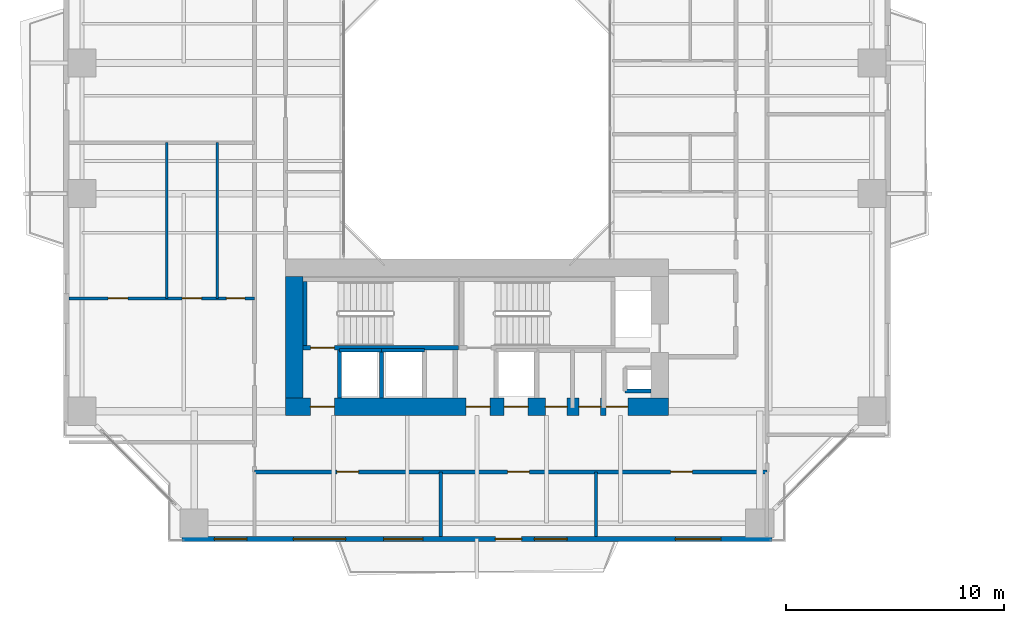
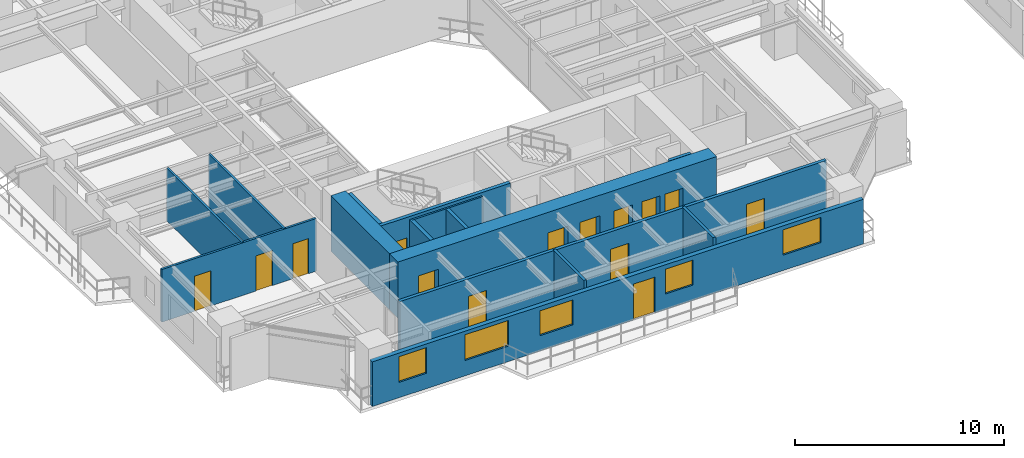
# One storey, part 12 of 23: 16 walls, 14 doors, 5 windows, 19 openings.
"""IFC4 building model written with IfcOpenShell, lengths in metres."""

from ifc_helpers import new_model, si_unit, direction, frame, frame_2d, origin, place, context, subcontext, project, spatial, rectangle, extrude, source, transform, mapped, material, layer, layer_set, type_object, element, fill, save


model = new_model("IFC4")

# Units and contexts
model_context = context("Model", 3, precision=1e-05, world=origin(), true_north=direction((0.0, 1.0)))
body_context = subcontext(model_context, "Body", "Model", "MODEL_VIEW")
ifc_project = project(units=[si_unit("LENGTHUNIT", "METRE"), si_unit("AREAUNIT", "SQUARE_METRE"), si_unit("VOLUMEUNIT", "CUBIC_METRE"), si_unit("PLANEANGLEUNIT", "RADIAN"), si_unit("MASSUNIT", "GRAM", prefix="KILO"), si_unit("THERMODYNAMICTEMPERATUREUNIT", "KELVIN"), si_unit("POWERUNIT", "WATT")], contexts=[model_context])

# Site, building, storey
site_placement = place(None, origin())
site = spatial("IfcSite", under=ifc_project, at=site_placement, CompositionType="ELEMENT")
building_placement = place(site_placement, origin())
building = spatial("IfcBuilding", under=site, at=building_placement, Name="Qiaomeng Ring Towers", CompositionType="ELEMENT")
storey_placement = place(building_placement, frame((0.0, 0.0, 26.25)))
storey = spatial("IfcBuildingStorey", under=building, at=storey_placement, Name="L06", CompositionType="ELEMENT", Elevation=26.25)

# Wall, openings, windows, door
ifc_material_1 = material(Name="Precast concrete C40", Category="concrete")
ifc_layer_1 = layer(ifc_material_1, 0.25, Name="Precast concrete C40")
ifc_layer_set_1 = layer_set([ifc_layer_1], Name="Precast concrete C40")
wall_type_1 = type_object("IfcWallType", Name="ARC-WL-EW1", PredefinedType="STANDARD", material=ifc_layer_set_1)
wall_1_placement = place(storey_placement, frame((5.449951171875, 4.125, 0.0), z_axis=(0.0, 0.0, 1.0), x_axis=(1.0, 0.0, 0.0)))
wall_1 = element("IfcWall", 1, at=wall_1_placement, inside=storey, type_object=wall_type_1, Name="L06 Tower 1 S Exterior Wall", PredefinedType="STANDARD", context=body_context, shape_type="SweptSolid", body=[
    extrude(rectangle(XDim=27.10009765625, YDim=0.25, at=frame_2d((13.550048828125, 0.0))), origin(), (0.0, 0.0, 1.0), 2.610107421875),
])
opening_1_placement = place(wall_1_placement, frame((14.39990234375, 0.0, 0.0)))
opening_1 = element("IfcOpeningElement", 2, at=opening_1_placement, cuts=wall_1, Name="Opening BD1", PredefinedType="OPENING", context=body_context, shape_type="SweptSolid", body=[
    extrude(rectangle(XDim=1.199951171875, YDim=2.10009765625, at=frame_2d((0.60009765625, 1.050048828125))), frame((0.0, 0.135009765625, 0.0), z_axis=(0.0, -1.0, 0.0), x_axis=(1.0, 0.0, 0.0)), (0.0, 0.0, 1.0), 0.27001953125),
])
opening_2_placement = place(wall_1_placement, frame((1.47998046875, 0.0, 0.89990234375)))
opening_2 = element("IfcOpeningElement", 3, at=opening_2_placement, cuts=wall_1, Name="Opening WN2", PredefinedType="OPENING", context=body_context, shape_type="SweptSolid", body=[
    extrude(rectangle(XDim=1.5, YDim=1.5, at=frame_2d((0.75, 0.75))), frame((0.0, 0.135009765625, 0.0), z_axis=(0.0, -1.0, 0.0), x_axis=(1.0, 0.0, 0.0)), (0.0, 0.0, 1.0), 0.27001953125),
])
opening_3_placement = place(wall_1_placement, frame((9.262939453125, 0.0, 0.89990234375)))
opening_3 = element("IfcOpeningElement", 4, at=opening_3_placement, cuts=wall_1, Name="Opening WN1", PredefinedType="OPENING", context=body_context, shape_type="SweptSolid", body=[
    extrude(rectangle(XDim=1.800048828125, YDim=1.449951171875, at=frame_2d((0.89990234375, 0.72509765625))), frame((0.0, 0.135009765625, 0.0), z_axis=(0.0, -1.0, 0.0), x_axis=(1.0, 0.0, 0.0)), (0.0, 0.0, 1.0), 0.27001953125),
])
opening_4_placement = place(wall_1_placement, frame((16.18798828125, 0.0, 0.89990234375)))
opening_4 = element("IfcOpeningElement", 5, at=opening_4_placement, cuts=wall_1, Name="Opening WN2", PredefinedType="OPENING", context=body_context, shape_type="SweptSolid", body=[
    extrude(rectangle(XDim=1.5, YDim=1.449951171875, at=frame_2d((0.75, 0.72509765625))), frame((0.0, 0.135009765625, 0.0), z_axis=(0.0, -1.0, 0.0), x_axis=(1.0, 0.0, 0.0)), (0.0, 0.0, 1.0), 0.27001953125),
])
opening_5_placement = place(wall_1_placement, frame((22.6630859375, 0.0, 0.89990234375)))
opening_5 = element("IfcOpeningElement", 6, at=opening_5_placement, cuts=wall_1, Name="Opening WN4", PredefinedType="OPENING", context=body_context, shape_type="SweptSolid", body=[
    extrude(rectangle(XDim=2.10009765625, YDim=1.47998046875, at=frame_2d((1.050048828125, 0.739990234375))), frame((0.0, 0.135009765625, 0.0), z_axis=(0.0, -1.0, 0.0), x_axis=(1.0, 0.0, 0.0)), (0.0, 0.0, 1.0), 0.27001953125),
])
opening_6_placement = place(wall_1_placement, frame((5.114013671875, 0.0, 0.89990234375)))
opening_6 = element("IfcOpeningElement", 7, at=opening_6_placement, cuts=wall_1, Name="Opening WN6", PredefinedType="OPENING", context=body_context, shape_type="SweptSolid", body=[
    extrude(rectangle(XDim=2.39990234375, YDim=1.5, at=frame_2d((1.199951171875, 0.75))), frame((0.0, 0.135009765625, 0.0), z_axis=(0.0, -1.0, 0.0), x_axis=(1.0, 0.0, 0.0)), (0.0, 0.0, 1.0), 0.27001953125),
])
ifc_material_2 = material(Name="Low-E dark-grey laminated double glazing", Category="glass")
window_type_1 = type_object("IfcWindowType", Name="ARC-WN-2", PartitioningType="DOUBLE_PANEL_VERTICAL", PredefinedType="WINDOW", material=ifc_material_2)
shared_shape_1 = source(origin(), body_context, "Body", "SweptSolid", [
    extrude(rectangle(XDim=1.5, YDim=1.449951171875, at=frame_2d((0.75, 0.72509765625))), frame((0.0, 0.030029296875, 0.0), z_axis=(0.0, -1.0, 0.0), x_axis=(1.0, 0.0, 0.0)), (0.0, 0.0, 1.0), 0.06005859375),
])
window_1_placement = place(opening_4_placement, origin())
window_1 = element("IfcWindow", 8, at=window_1_placement, inside=storey, type_object=window_type_1, Name="L06 Exterior Window WN2", OverallHeight=1.449951171875, OverallWidth=1.5, PartitioningType="DOUBLE_PANEL_VERTICAL", PredefinedType="WINDOW", context=body_context, shape_type="MappedRepresentation", body=[
    mapped(shared_shape_1, transform((0.0, 0.0, 0.0), x_axis=(1.0, 0.0, 0.0), y_axis=(0.0, 1.0, 0.0), z_axis=(0.0, 0.0, 1.0), scale=1.0)),
])
fill(opening_4, window_1)
window_type_2 = type_object("IfcWindowType", Name="ARC-WN-4", PartitioningType="TRIPLE_PANEL_VERTICAL", PredefinedType="WINDOW", material=ifc_material_2)
shared_shape_2 = source(origin(), body_context, "Body", "SweptSolid", [
    extrude(rectangle(XDim=2.10009765625, YDim=1.47998046875, at=frame_2d((1.050048828125, 0.739990234375))), frame((0.0, 0.030029296875, 0.0), z_axis=(0.0, -1.0, 0.0), x_axis=(1.0, 0.0, 0.0)), (0.0, 0.0, 1.0), 0.06005859375),
])
window_2_placement = place(opening_5_placement, origin())
window_2 = element("IfcWindow", 9, at=window_2_placement, inside=storey, type_object=window_type_2, Name="L06 Exterior Window WN4", OverallHeight=1.47998046875, OverallWidth=2.10009765625, PartitioningType="TRIPLE_PANEL_VERTICAL", PredefinedType="WINDOW", context=body_context, shape_type="MappedRepresentation", body=[
    mapped(shared_shape_2, transform((0.0, 0.0, 0.0), x_axis=(1.0, 0.0, 0.0), y_axis=(0.0, 1.0, 0.0), z_axis=(0.0, 0.0, 1.0), scale=1.0)),
])
fill(opening_5, window_2)
window_type_3 = type_object("IfcWindowType", Name="ARC-WN-1", PartitioningType="DOUBLE_PANEL_VERTICAL", PredefinedType="WINDOW", material=ifc_material_2)
shared_shape_3 = source(origin(), body_context, "Body", "SweptSolid", [
    extrude(rectangle(XDim=1.800048828125, YDim=1.449951171875, at=frame_2d((0.89990234375, 0.72509765625))), frame((0.0, 0.030029296875, 0.0), z_axis=(0.0, -1.0, 0.0), x_axis=(1.0, 0.0, 0.0)), (0.0, 0.0, 1.0), 0.06005859375),
])
window_3_placement = place(opening_3_placement, origin())
window_3 = element("IfcWindow", 10, at=window_3_placement, inside=storey, type_object=window_type_3, Name="L06 Exterior Window WN1", OverallHeight=1.449951171875, OverallWidth=1.800048828125, PartitioningType="DOUBLE_PANEL_VERTICAL", PredefinedType="WINDOW", context=body_context, shape_type="MappedRepresentation", body=[
    mapped(shared_shape_3, transform((0.0, 0.0, 0.0), x_axis=(1.0, 0.0, 0.0), y_axis=(0.0, 1.0, 0.0), z_axis=(0.0, 0.0, 1.0), scale=1.0)),
])
fill(opening_3, window_3)
door_type_1 = type_object("IfcDoorType", Name="ARC-DR-BD1", OperationType="NOTDEFINED", PredefinedType="DOOR", material=ifc_material_2)
shared_shape_4 = source(origin(), body_context, "Body", "SweptSolid", [
    extrude(rectangle(XDim=1.199951171875, YDim=2.10009765625, at=frame_2d((0.60009765625, 1.050048828125))), frame((0.0, 0.02490234375, 0.0), z_axis=(0.0, -1.0, 0.0), x_axis=(1.0, 0.0, 0.0)), (0.0, 0.0, 1.0), 0.050048828125),
])
door_1_placement = place(opening_1_placement, frame((1.199951171875, 0.0, 0.0), z_axis=(0.0, 0.0, 1.0), x_axis=(-1.0, 0.0, 0.0)))
door_1 = element("IfcDoor", 11, at=door_1_placement, inside=storey, type_object=door_type_1, Name="L06 S Balcony Glazed Door", OperationType="SINGLE_SWING_LEFT", OverallHeight=2.10009765625, OverallWidth=1.199951171875, PredefinedType="DOOR", context=body_context, shape_type="MappedRepresentation", body=[
    mapped(shared_shape_4, transform((0.0, 0.0, 0.0), x_axis=(1.0, 0.0, 0.0), y_axis=(0.0, 1.0, 0.0), z_axis=(0.0, 0.0, 1.0), scale=1.0)),
])
fill(opening_1, door_1)
shared_shape_5 = source(origin(), body_context, "Body", "SweptSolid", [
    extrude(rectangle(XDim=1.5, YDim=1.5, at=frame_2d((0.75, 0.75))), frame((0.0, 0.030029296875, 0.0), z_axis=(0.0, -1.0, 0.0), x_axis=(1.0, 0.0, 0.0)), (0.0, 0.0, 1.0), 0.06005859375),
])
window_4_placement = place(opening_2_placement, origin())
window_4 = element("IfcWindow", 12, at=window_4_placement, inside=storey, type_object=window_type_1, Name="L06 Exterior Window WN6", OverallHeight=1.5, OverallWidth=1.5, PartitioningType="TRIPLE_PANEL_VERTICAL", PredefinedType="WINDOW", context=body_context, shape_type="MappedRepresentation", body=[
    mapped(shared_shape_5, transform((0.0, 0.0, 0.0), x_axis=(1.0, 0.0, 0.0), y_axis=(0.0, 1.0, 0.0), z_axis=(0.0, 0.0, 1.0), scale=1.0)),
])
fill(opening_2, window_4)
window_type_4 = type_object("IfcWindowType", Name="ARC-WN-6", PartitioningType="TRIPLE_PANEL_VERTICAL", PredefinedType="WINDOW", material=ifc_material_2)
shared_shape_6 = source(origin(), body_context, "Body", "SweptSolid", [
    extrude(rectangle(XDim=2.39990234375, YDim=1.5, at=frame_2d((1.199951171875, 0.75))), frame((0.0, 0.030029296875, 0.0), z_axis=(0.0, -1.0, 0.0), x_axis=(1.0, 0.0, 0.0)), (0.0, 0.0, 1.0), 0.06005859375),
])
window_5_placement = place(opening_6_placement, origin())
window_5 = element("IfcWindow", 13, at=window_5_placement, inside=storey, type_object=window_type_4, Name="L06 Exterior Window WN6", OverallHeight=1.5, OverallWidth=2.39990234375, PartitioningType="TRIPLE_PANEL_VERTICAL", PredefinedType="WINDOW", context=body_context, shape_type="MappedRepresentation", body=[
    mapped(shared_shape_6, transform((0.0, 0.0, 0.0), x_axis=(1.0, 0.0, 0.0), y_axis=(0.0, 1.0, 0.0), z_axis=(0.0, 0.0, 1.0), scale=1.0)),
])
fill(opening_6, window_5)

# Wall
ifc_material_3 = material(Name="Autoclaved aerated concrete block", Category="concrete")
ifc_layer_2 = layer(ifc_material_3, 0.199951171875, Name="Autoclaved aerated concrete block")
ifc_layer_set_2 = layer_set([ifc_layer_2], Name="Autoclaved aerated concrete block")
wall_type_2 = type_object("IfcWallType", Name="ARC-WL-PW1", PredefinedType="PARTITIONING", material=ifc_layer_set_2)
wall_2_placement = place(storey_placement, frame((12.679931640625, 10.60009765625, 0.0), z_axis=(0.0, 0.0, 1.0), x_axis=(0.0, 1.0, 0.0)))
element("IfcWall", 14, at=wall_2_placement, inside=storey, type_object=wall_type_2, Name="L06 Interior Wall PW1", PredefinedType="PARTITIONING", context=body_context, shape_type="SweptSolid", body=[
    extrude(rectangle(XDim=2.2099609375, YDim=0.199951171875, at=frame_2d((1.10498046875, 0.0))), origin(), (0.0, 0.0, 1.0), 3.070068359375),
])

# Wall, openings, doors
ifc_layer_3 = layer(ifc_material_3, 0.179931640625, Name="Autoclaved aerated concrete block")
ifc_layer_set_3 = layer_set([ifc_layer_3], Name="Autoclaved aerated concrete block")
wall_type_3 = type_object("IfcWallType", Name="ARC-WL-PW2", PredefinedType="PARTITIONING", material=ifc_layer_set_3)
wall_3_placement = place(storey_placement, frame((8.780029296875, 7.2099609375, 0.0), z_axis=(0.0, 0.0, 1.0), x_axis=(1.0, 0.0, 0.0)))
wall_3 = element("IfcWall", 15, at=wall_3_placement, inside=storey, type_object=wall_type_3, Name="L06 Interior Wall PW2", PredefinedType="PARTITIONING", context=body_context, shape_type="SweptSolid", body=[
    extrude(rectangle(XDim=23.5400390625, YDim=0.179931640625, at=frame_2d((11.77001953125, 0.0))), origin(), (0.0, 0.0, 1.0), 3.070068359375),
])
opening_7_placement = place(wall_3_placement, frame((3.780029296875, 0.0, 0.0)))
opening_7 = element("IfcOpeningElement", 16, at=opening_7_placement, cuts=wall_3, Name="Opening FD4", PredefinedType="OPENING", context=body_context, shape_type="SweptSolid", body=[
    extrude(rectangle(XDim=1.0, YDim=2.050048828125, at=frame_2d((0.5, 1.02490234375))), frame((0.0, 0.099853515625, 0.0), z_axis=(0.0, -1.0, 0.0), x_axis=(1.0, 0.0, 0.0)), (0.0, 0.0, 1.0), 0.199951171875),
])
opening_8_placement = place(wall_3_placement, frame((11.625, 0.0, 0.0)))
opening_8 = element("IfcOpeningElement", 17, at=opening_8_placement, cuts=wall_3, Name="Opening FD4", PredefinedType="OPENING", context=body_context, shape_type="SweptSolid", body=[
    extrude(rectangle(XDim=1.0, YDim=2.050048828125, at=frame_2d((0.5, 1.02490234375))), frame((0.0, 0.099853515625, 0.0), z_axis=(0.0, -1.0, 0.0), x_axis=(1.0, 0.0, 0.0)), (0.0, 0.0, 1.0), 0.199951171875),
])
opening_9_placement = place(wall_3_placement, frame((19.114990234375, 0.0, 0.0)))
opening_9 = element("IfcOpeningElement", 18, at=opening_9_placement, cuts=wall_3, Name="Opening FD4", PredefinedType="OPENING", context=body_context, shape_type="SweptSolid", body=[
    extrude(rectangle(XDim=1.0, YDim=2.050048828125, at=frame_2d((0.5, 1.02490234375))), frame((0.0, 0.099853515625, 0.0), z_axis=(0.0, -1.0, 0.0), x_axis=(1.0, 0.0, 0.0)), (0.0, 0.0, 1.0), 0.199951171875),
])
ifc_material_4 = material(Name="Engineered fire-rated oak timber", Category="wood")
door_type_2 = type_object("IfcDoorType", Name="ARC-DR-FD4", OperationType="NOTDEFINED", PredefinedType="DOOR", material=ifc_material_4)
shared_shape_7 = source(origin(), body_context, "Body", "SweptSolid", [
    extrude(rectangle(XDim=1.0, YDim=2.050048828125, at=frame_2d((0.5, 1.02490234375))), frame((0.0, 0.02490234375, 0.0), z_axis=(0.0, -1.0, 0.0), x_axis=(1.0, 0.0, 0.0)), (0.0, 0.0, 1.0), 0.050048828125),
])
door_2_placement = place(opening_7_placement, origin())
door_2 = element("IfcDoor", 19, at=door_2_placement, inside=storey, type_object=door_type_2, Name="L06 Door FD4", OperationType="SINGLE_SWING_LEFT", OverallHeight=2.050048828125, OverallWidth=1.0, PredefinedType="DOOR", context=body_context, shape_type="MappedRepresentation", body=[
    mapped(shared_shape_7, transform((0.0, 0.0, 0.0), x_axis=(1.0, 0.0, 0.0), y_axis=(0.0, 1.0, 0.0), z_axis=(0.0, 0.0, 1.0), scale=1.0)),
])
fill(opening_7, door_2)
door_3_placement = place(opening_8_placement, origin())
door_3 = element("IfcDoor", 20, at=door_3_placement, inside=storey, type_object=door_type_2, Name="L06 Door FD4", OperationType="SINGLE_SWING_RIGHT", OverallHeight=2.050048828125, OverallWidth=1.0, PredefinedType="DOOR", context=body_context, shape_type="MappedRepresentation", body=[
    mapped(shared_shape_7, transform((0.0, 0.0, 0.0), x_axis=(1.0, 0.0, 0.0), y_axis=(0.0, 1.0, 0.0), z_axis=(0.0, 0.0, 1.0), scale=1.0)),
])
fill(opening_8, door_3)
door_4_placement = place(opening_9_placement, origin())
door_4 = element("IfcDoor", 21, at=door_4_placement, inside=storey, type_object=door_type_2, Name="L06 Door FD4", OperationType="SINGLE_SWING_LEFT", OverallHeight=2.050048828125, OverallWidth=1.0, PredefinedType="DOOR", context=body_context, shape_type="MappedRepresentation", body=[
    mapped(shared_shape_7, transform((0.0, 0.0, 0.0), x_axis=(1.0, 0.0, 0.0), y_axis=(0.0, 1.0, 0.0), z_axis=(0.0, 0.0, 1.0), scale=1.0)),
])
fill(opening_9, door_4)

# Walls
ifc_material_5 = material(Name="Gypsum fireboard steel-stud partition", Category="steel")
ifc_layer_4 = layer(ifc_material_5, 0.14990234375, Name="Gypsum fireboard steel-stud partition")
ifc_layer_set_4 = layer_set([ifc_layer_4], Name="Gypsum fireboard steel-stud partition")
wall_type_4 = type_object("IfcWallType", Name="ARC-WL-PW3", PredefinedType="PARTITIONING", material=ifc_layer_set_4)
for number, where, z_axis, x_axis, name in (
    (22, (17.340087890625, 4.25, 0.0), (0.0, 0.0, 1.0), (0.0, 1.0, 0.0), "L06 Interior Wall PW3"),
    (23, (24.469970703125, 4.25, 0.0), (0.0, 0.0, 1.0), (0.0, 1.0, 0.0), "L06 Interior Wall PW3"),
):
    element("IfcWall", number, at=place(storey_placement, frame(where, z_axis=z_axis, x_axis=x_axis)), inside=storey, type_object=wall_type_4, Name=name, PredefinedType="PARTITIONING", context=body_context, shape_type="SweptSolid", body=[
        extrude(rectangle(XDim=2.9599609375, YDim=0.14990234375, at=frame_2d((1.47998046875, 0.0))), origin(), (0.0, 0.0, 1.0), 3.070068359375),
    ])

# Wall, openings, doors
ifc_material_6 = material(Name="Moisture-resistant gypsum steel-stud partition", Category="steel")
ifc_layer_5 = layer(ifc_material_6, 0.1201171875, Name="Moisture-resistant gypsum steel-stud partition")
ifc_layer_set_5 = layer_set([ifc_layer_5], Name="Moisture-resistant gypsum steel-stud partition")
wall_type_5 = type_object("IfcWallType", Name="ARC-WL-PW4", PredefinedType="PLUMBINGWALL", material=ifc_layer_set_5)
wall_4_placement = place(storey_placement, frame((0.25, 15.179931640625, 0.0), z_axis=(0.0, 0.0, 1.0), x_axis=(1.0, 0.0, 0.0)))
wall_4 = element("IfcWall", 24, at=wall_4_placement, inside=storey, type_object=wall_type_5, Name="L06 Interior Wall PW4", PredefinedType="PLUMBINGWALL", context=body_context, shape_type="SweptSolid", body=[
    extrude(rectangle(XDim=8.530029296875, YDim=0.1201171875, at=frame_2d((4.26513671875, 0.0))), origin(), (0.0, 0.0, 1.0), 3.070068359375),
])
opening_10_placement = place(wall_4_placement, frame((1.804931640625, 0.0, 0.0)))
opening_10 = element("IfcOpeningElement", 25, at=opening_10_placement, cuts=wall_4, Name="Opening ID1", PredefinedType="OPENING", context=body_context, shape_type="SweptSolid", body=[
    extrude(rectangle(XDim=0.89990234375, YDim=2.050048828125, at=frame_2d((0.449951171875, 1.02490234375))), frame((0.0, 0.070068359375, 0.0), z_axis=(0.0, -1.0, 0.0), x_axis=(1.0, 0.0, 0.0)), (0.0, 0.0, 1.0), 0.14013671875),
])
opening_11_placement = place(wall_4_placement, frame((5.199951171875, 0.0, 0.0)))
opening_11 = element("IfcOpeningElement", 26, at=opening_11_placement, cuts=wall_4, Name="Opening ID1", PredefinedType="OPENING", context=body_context, shape_type="SweptSolid", body=[
    extrude(rectangle(XDim=0.89990234375, YDim=2.050048828125, at=frame_2d((0.449951171875, 1.02490234375))), frame((0.0, 0.070068359375, 0.0), z_axis=(0.0, -1.0, 0.0), x_axis=(1.0, 0.0, 0.0)), (0.0, 0.0, 1.0), 0.14013671875),
])
opening_12_placement = place(wall_4_placement, frame((7.235107421875, 0.0, 0.0)))
opening_12 = element("IfcOpeningElement", 27, at=opening_12_placement, cuts=wall_4, Name="Opening ID2", PredefinedType="OPENING", context=body_context, shape_type="SweptSolid", body=[
    extrude(rectangle(XDim=0.85009765625, YDim=2.050048828125, at=frame_2d((0.425048828125, 1.02490234375))), frame((0.0, 0.070068359375, 0.0), z_axis=(0.0, -1.0, 0.0), x_axis=(1.0, 0.0, 0.0)), (0.0, 0.0, 1.0), 0.14013671875),
])
ifc_material_7 = material(Name="Moisture-resistant engineered timber", Category="wood")
door_type_3 = type_object("IfcDoorType", Name="ARC-DR-ID2", OperationType="NOTDEFINED", PredefinedType="DOOR", material=ifc_material_7)
shared_shape_8 = source(origin(), body_context, "Body", "SweptSolid", [
    extrude(rectangle(XDim=0.85009765625, YDim=2.050048828125, at=frame_2d((0.425048828125, 1.02490234375))), frame((0.0, 0.02490234375, 0.0), z_axis=(0.0, -1.0, 0.0), x_axis=(1.0, 0.0, 0.0)), (0.0, 0.0, 1.0), 0.050048828125),
])
door_5_placement = place(opening_12_placement, origin())
door_5 = element("IfcDoor", 28, at=door_5_placement, inside=storey, type_object=door_type_3, Name="L06 Door ID2", OperationType="SINGLE_SWING_RIGHT", OverallHeight=2.050048828125, OverallWidth=0.85009765625, PredefinedType="DOOR", context=body_context, shape_type="MappedRepresentation", body=[
    mapped(shared_shape_8, transform((0.0, 0.0, 0.0), x_axis=(1.0, 0.0, 0.0), y_axis=(0.0, 1.0, 0.0), z_axis=(0.0, 0.0, 1.0), scale=1.0)),
])
fill(opening_12, door_5)
ifc_material_8 = material(Name="Engineered oak timber", Category="wood")
door_type_4 = type_object("IfcDoorType", Name="ARC-DR-ID1", OperationType="NOTDEFINED", PredefinedType="DOOR", material=ifc_material_8)
shared_shape_9 = source(origin(), body_context, "Body", "SweptSolid", [
    extrude(rectangle(XDim=0.89990234375, YDim=2.050048828125, at=frame_2d((0.449951171875, 1.02490234375))), frame((0.0, 0.02490234375, 0.0), z_axis=(0.0, -1.0, 0.0), x_axis=(1.0, 0.0, 0.0)), (0.0, 0.0, 1.0), 0.050048828125),
])
door_6_placement = place(opening_10_placement, origin())
door_6 = element("IfcDoor", 29, at=door_6_placement, inside=storey, type_object=door_type_4, Name="L06 Door ID1", OperationType="SINGLE_SWING_RIGHT", OverallHeight=2.050048828125, OverallWidth=0.89990234375, PredefinedType="DOOR", context=body_context, shape_type="MappedRepresentation", body=[
    mapped(shared_shape_9, transform((0.0, 0.0, 0.0), x_axis=(1.0, 0.0, 0.0), y_axis=(0.0, 1.0, 0.0), z_axis=(0.0, 0.0, 1.0), scale=1.0)),
])
fill(opening_10, door_6)
door_7_placement = place(opening_11_placement, origin())
door_7 = element("IfcDoor", 30, at=door_7_placement, inside=storey, type_object=door_type_4, Name="L06 Door ID1", OperationType="SINGLE_SWING_LEFT", OverallHeight=2.050048828125, OverallWidth=0.89990234375, PredefinedType="DOOR", context=body_context, shape_type="MappedRepresentation", body=[
    mapped(shared_shape_9, transform((0.0, 0.0, 0.0), x_axis=(1.0, 0.0, 0.0), y_axis=(0.0, 1.0, 0.0), z_axis=(0.0, 0.0, 1.0), scale=1.0)),
])
fill(opening_11, door_7)

# Walls
for number, where, z_axis, x_axis, name in (
    (31, (4.739990234375, 15.179931640625, 0.0), (0.0, 0.0, 1.0), (0.0, 1.0, 0.0), "L06 Interior Wall PW4"),
    (32, (7.06005859375, 15.179931640625, 0.0), (0.0, 0.0, 1.0), (0.0, 1.0, 0.0), "L06 Interior Wall PW4"),
):
    element("IfcWall", number, at=place(storey_placement, frame(where, z_axis=z_axis, x_axis=x_axis)), inside=storey, type_object=wall_type_5, Name=name, PredefinedType="PLUMBINGWALL", context=body_context, shape_type="SweptSolid", body=[
        extrude(rectangle(XDim=7.16015625, YDim=0.1201171875, at=frame_2d((3.580078125, 0.0))), origin(), (0.0, 0.0, 1.0), 3.070068359375),
    ])
ifc_material_9 = material(Name="Concrete C40", Category="concrete")
ifc_layer_6 = layer(ifc_material_9, 0.199951171875, Name="Concrete C40")
ifc_layer_set_6 = layer_set([ifc_layer_6], Name="Concrete C40")
wall_type_6 = type_object("IfcWallType", Name="STR-WL-STSHAFT", PredefinedType="SHEAR", material=ifc_layer_set_6)
wall_5_placement = place(storey_placement, frame((12.679931640625, 12.800048828125, 0.0), z_axis=(0.0, 0.0, 1.0), x_axis=(1.0, 0.0, 0.0)))
element("IfcWall", 33, at=wall_5_placement, inside=storey, type_object=wall_type_6, Name="L06 Lift LP6 Shaft Back Wall", PredefinedType="SHEAR", context=body_context, shape_type="SweptSolid", body=[
    extrude(rectangle(XDim=1.940185546875, YDim=0.179931640625, at=frame_2d((0.97021484375, 0.0))), origin(), (0.0, 0.0, 1.0), 3.070068359375),
])
wall_6_placement = place(storey_placement, frame((14.6201171875, 10.60009765625, 0.0), z_axis=(0.0, 0.0, 1.0), x_axis=(0.0, 1.0, 0.0)))
element("IfcWall", 34, at=wall_6_placement, inside=storey, type_object=wall_type_6, Name="L06 Lift LP6-LP4 Shaft Divider Wall", PredefinedType="SHEAR", context=body_context, shape_type="SweptSolid", body=[
    extrude(rectangle(XDim=2.199951171875, YDim=0.179931640625, at=frame_2d((1.10009765625, 0.0))), origin(), (0.0, 0.0, 1.0), 3.070068359375),
])
wall_7_placement = place(storey_placement, frame((25.800048828125, 10.919921875, 0.0), z_axis=(0.0, 0.0, 1.0), x_axis=(1.0, 0.0, 0.0)))
element("IfcWall", 35, at=wall_7_placement, inside=storey, type_object=wall_type_6, Name="L06 Riser RSR1 South Shaft Wall S", PredefinedType="SHEAR", context=body_context, shape_type="SweptSolid", body=[
    extrude(rectangle(XDim=1.199951171875, YDim=0.179931640625, at=frame_2d((0.60009765625, 0.0))), origin(), (0.0, 0.0, 1.0), 3.070068359375),
])
wall_8_placement = place(storey_placement, frame((14.6201171875, 12.800048828125, 0.0), z_axis=(0.0, 0.0, 1.0), x_axis=(1.0, 0.0, 0.0)))
element("IfcWall", 36, at=wall_8_placement, inside=storey, type_object=wall_type_6, Name="L06 Lift LP4 Shaft Back Wall", PredefinedType="SHEAR", context=body_context, shape_type="SweptSolid", body=[
    extrude(rectangle(XDim=1.9599609375, YDim=0.179931640625, at=frame_2d((0.97998046875, 0.0))), origin(), (0.0, 0.0, 1.0), 3.070068359375),
])

# Wall, opening, door
wall_9_placement = place(storey_placement, frame((11.0, 12.909912109375, 0.0), z_axis=(0.0, 0.0, 1.0), x_axis=(1.0, 0.0, 0.0)))
wall_9 = element("IfcWall", 37, at=wall_9_placement, inside=storey, type_object=wall_type_6, Name="L06 Stair ST3 South Shaft Shear Wall", PredefinedType="SHEAR", context=body_context, shape_type="SweptSolid", body=[
    extrude(rectangle(XDim=7.14990234375, YDim=0.199951171875, at=frame_2d((3.574951171875, 0.0))), origin(), (0.0, 0.0, 1.0), 3.25),
])
opening_13_placement = place(wall_9_placement, frame((0.35009765625, 0.0, 0.0)))
opening_13 = element("IfcOpeningElement", 38, at=opening_13_placement, cuts=wall_9, Name="Opening FD3", PredefinedType="OPENING", context=body_context, shape_type="SweptSolid", body=[
    extrude(rectangle(XDim=1.10009765625, YDim=2.050048828125, at=frame_2d((0.550048828125, 1.02490234375))), frame((0.0, 0.10986328125, 0.0), z_axis=(0.0, -1.0, 0.0), x_axis=(1.0, 0.0, 0.0)), (0.0, 0.0, 1.0), 0.219970703125),
])
ifc_material_10 = material(Name="Galvanised steel", Category="steel")
door_type_5 = type_object("IfcDoorType", Name="ARC-DR-FD3", OperationType="NOTDEFINED", PredefinedType="DOOR", material=ifc_material_10)
shared_shape_10 = source(origin(), body_context, "Body", "SweptSolid", [
    extrude(rectangle(XDim=1.10009765625, YDim=2.050048828125, at=frame_2d((0.550048828125, 1.02490234375))), frame((0.0, 0.02490234375, 0.0), z_axis=(0.0, -1.0, 0.0), x_axis=(1.0, 0.0, 0.0)), (0.0, 0.0, 1.0), 0.050048828125),
])
door_8_placement = place(opening_13_placement, frame((1.10009765625, 0.0, 0.0), z_axis=(0.0, 0.0, 1.0), x_axis=(-1.0, 0.0, 0.0)))
door_8 = element("IfcDoor", 39, at=door_8_placement, inside=storey, type_object=door_type_5, Name="L06 Stair ST3 Exit Door", OperationType="SINGLE_SWING_LEFT", OverallHeight=2.050048828125, OverallWidth=1.10009765625, PredefinedType="DOOR", context=body_context, shape_type="MappedRepresentation", body=[
    mapped(shared_shape_10, transform((0.0, 0.0, 0.0), x_axis=(1.0, 0.0, 0.0), y_axis=(0.0, 1.0, 0.0), z_axis=(0.0, 0.0, 1.0), scale=1.0)),
])
fill(opening_13, door_8)

# Wall
wall_10_placement = place(storey_placement, frame((11.10009765625, 13.010009765625, 0.0), z_axis=(0.0, 0.0, 1.0), x_axis=(0.0, 1.0, 0.0)))
element("IfcWall", 40, at=wall_10_placement, inside=storey, type_object=wall_type_6, Name="L06 Stair ST3 West Shaft Shear Wall", PredefinedType="SHEAR", context=body_context, shape_type="SweptSolid", body=[
    extrude(rectangle(XDim=2.93994140625, YDim=0.199951171875, at=frame_2d((1.469970703125, 0.0))), origin(), (0.0, 0.0, 1.0), 3.25),
])

# Wall, openings, doors
ifc_material_11 = material(Name="Concrete C60", Category="concrete")
ifc_layer_7 = layer(ifc_material_11, 0.800048828125, Name="Concrete C60")
ifc_layer_set_7 = layer_set([ifc_layer_7], Name="Concrete C60")
wall_type_7 = type_object("IfcWallType", Name="STR-WL-SW1", PredefinedType="SHEAR", material=ifc_layer_set_7)
wall_11_placement = place(storey_placement, frame((10.199951171875, 10.199951171875, 0.0), z_axis=(0.0, 0.0, 1.0), x_axis=(1.0, 0.0, 0.0)))
wall_11 = element("IfcWall", 41, at=wall_11_placement, inside=storey, type_object=wall_type_7, Name="L06 T1SC south core shear wall", PredefinedType="SHEAR", context=body_context, shape_type="SweptSolid", body=[
    extrude(rectangle(XDim=17.60009765625, YDim=0.800048828125, at=frame_2d((8.800048828125, 0.0))), origin(), (0.0, 0.0, 1.0), 3.25),
])
opening_14_placement = place(wall_11_placement, frame((1.14990234375, 0.0, 0.0)))
opening_14 = element("IfcOpeningElement", 42, at=opening_14_placement, cuts=wall_11, Name="Opening FD3", PredefinedType="OPENING", context=body_context, shape_type="SweptSolid", body=[
    extrude(rectangle(XDim=1.10009765625, YDim=2.050048828125, at=frame_2d((0.550048828125, 1.02490234375))), frame((0.0, 0.409912109375, 0.0), z_axis=(0.0, -1.0, 0.0), x_axis=(1.0, 0.0, 0.0)), (0.0, 0.0, 1.0), 0.820068359375),
])
opening_15_placement = place(wall_11_placement, frame((8.300048828125, 0.0, 0.0)))
opening_15 = element("IfcOpeningElement", 43, at=opening_15_placement, cuts=wall_11, Name="Opening FD3", PredefinedType="OPENING", context=body_context, shape_type="SweptSolid", body=[
    extrude(rectangle(XDim=1.10009765625, YDim=2.050048828125, at=frame_2d((0.550048828125, 1.02490234375))), frame((0.0, 0.409912109375, 0.0), z_axis=(0.0, -1.0, 0.0), x_axis=(1.0, 0.0, 0.0)), (0.0, 0.0, 1.0), 0.820068359375),
])
opening_16_placement = place(wall_11_placement, frame((10.050048828125, 0.0, 0.0)))
opening_16 = element("IfcOpeningElement", 44, at=opening_16_placement, cuts=wall_11, Name="Opening LD1", PredefinedType="OPENING", context=body_context, shape_type="SweptSolid", body=[
    extrude(rectangle(XDim=1.10009765625, YDim=2.050048828125, at=frame_2d((0.550048828125, 1.02490234375))), frame((0.0, 0.409912109375, 0.0), z_axis=(0.0, -1.0, 0.0), x_axis=(1.0, 0.0, 0.0)), (0.0, 0.0, 1.0), 0.820068359375),
])
opening_17_placement = place(wall_11_placement, frame((14.739990234375, 0.0, 0.0)))
opening_17 = element("IfcOpeningElement", 45, at=opening_17_placement, cuts=wall_11, Name="Opening FD1", PredefinedType="OPENING", context=body_context, shape_type="SweptSolid", body=[
    extrude(rectangle(XDim=1.0, YDim=2.050048828125, at=frame_2d((0.5, 1.02490234375))), frame((0.0, 0.409912109375, 0.0), z_axis=(0.0, -1.0, 0.0), x_axis=(1.0, 0.0, 0.0)), (0.0, 0.0, 1.0), 0.820068359375),
])
opening_18_placement = place(wall_11_placement, frame((11.945068359375, 0.0, 0.0)))
opening_18 = element("IfcOpeningElement", 46, at=opening_18_placement, cuts=wall_11, Name="Opening FD1", PredefinedType="OPENING", context=body_context, shape_type="SweptSolid", body=[
    extrude(rectangle(XDim=1.0, YDim=2.050048828125, at=frame_2d((0.5, 1.02490234375))), frame((0.0, 0.409912109375, 0.0), z_axis=(0.0, -1.0, 0.0), x_axis=(1.0, 0.0, 0.0)), (0.0, 0.0, 1.0), 0.820068359375),
])
opening_19_placement = place(wall_11_placement, frame((13.47998046875, 0.0, 0.0)))
opening_19 = element("IfcOpeningElement", 47, at=opening_19_placement, cuts=wall_11, Name="Opening FD1", PredefinedType="OPENING", context=body_context, shape_type="SweptSolid", body=[
    extrude(rectangle(XDim=1.0, YDim=2.050048828125, at=frame_2d((0.5, 1.02490234375))), frame((0.0, 0.409912109375, 0.0), z_axis=(0.0, -1.0, 0.0), x_axis=(1.0, 0.0, 0.0)), (0.0, 0.0, 1.0), 0.820068359375),
])
door_9_placement = place(opening_14_placement, origin())
door_9 = element("IfcDoor", 48, at=door_9_placement, inside=storey, type_object=door_type_5, Name="L06 Stair ST3 Lobby Door", OperationType="SINGLE_SWING_RIGHT", OverallHeight=2.050048828125, OverallWidth=1.10009765625, PredefinedType="DOOR", context=body_context, shape_type="MappedRepresentation", body=[
    mapped(shared_shape_10, transform((0.0, 0.0, 0.0), x_axis=(1.0, 0.0, 0.0), y_axis=(0.0, 1.0, 0.0), z_axis=(0.0, 0.0, 1.0), scale=1.0)),
])
fill(opening_14, door_9)
door_10_placement = place(opening_15_placement, origin())
door_10 = element("IfcDoor", 49, at=door_10_placement, inside=storey, type_object=door_type_5, Name="L06 Stair ST4 Lobby Door", OperationType="SINGLE_SWING_RIGHT", OverallHeight=2.050048828125, OverallWidth=1.10009765625, PredefinedType="DOOR", context=body_context, shape_type="MappedRepresentation", body=[
    mapped(shared_shape_10, transform((0.0, 0.0, 0.0), x_axis=(1.0, 0.0, 0.0), y_axis=(0.0, 1.0, 0.0), z_axis=(0.0, 0.0, 1.0), scale=1.0)),
])
fill(opening_15, door_10)
ifc_material_12 = material(Name="Stainless steel 316", Category="steel")
door_type_6 = type_object("IfcDoorType", Name="ARC-DR-LD1", OperationType="NOTDEFINED", PredefinedType="DOOR", material=ifc_material_12)
door_11_placement = place(opening_16_placement, origin())
door_11 = element("IfcDoor", 50, at=door_11_placement, inside=storey, type_object=door_type_6, Name="L06 Low-Zone Lift LP2 Landing Door", OperationType="SLIDING_TO_RIGHT", OverallHeight=2.050048828125, OverallWidth=1.10009765625, PredefinedType="DOOR", context=body_context, shape_type="MappedRepresentation", body=[
    mapped(shared_shape_10, transform((0.0, 0.0, 0.0), x_axis=(1.0, 0.0, 0.0), y_axis=(0.0, 1.0, 0.0), z_axis=(0.0, 0.0, 1.0), scale=1.0)),
])
fill(opening_16, door_11)
door_type_7 = type_object("IfcDoorType", Name="ARC-DR-FD1", OperationType="NOTDEFINED", PredefinedType="DOOR", material=ifc_material_10)
door_12_placement = place(opening_17_placement, origin())
door_12 = element("IfcDoor", 51, at=door_12_placement, inside=storey, type_object=door_type_7, Name="L06 South Electrical Riser Door", OperationType="SINGLE_SWING_LEFT", OverallHeight=2.050048828125, OverallWidth=1.0, PredefinedType="DOOR", context=body_context, shape_type="MappedRepresentation", body=[
    mapped(shared_shape_7, transform((0.0, 0.0, 0.0), x_axis=(1.0, 0.0, 0.0), y_axis=(0.0, 1.0, 0.0), z_axis=(0.0, 0.0, 1.0), scale=1.0)),
])
fill(opening_17, door_12)
door_13_placement = place(opening_18_placement, origin())
door_13 = element("IfcDoor", 52, at=door_13_placement, inside=storey, type_object=door_type_7, Name="L06 South Beverage Pantry Door", OperationType="SINGLE_SWING_LEFT", OverallHeight=2.050048828125, OverallWidth=1.0, PredefinedType="DOOR", context=body_context, shape_type="MappedRepresentation", body=[
    mapped(shared_shape_7, transform((0.0, 0.0, 0.0), x_axis=(1.0, 0.0, 0.0), y_axis=(0.0, 1.0, 0.0), z_axis=(0.0, 0.0, 1.0), scale=1.0)),
])
fill(opening_18, door_13)
door_14_placement = place(opening_19_placement, origin())
door_14 = element("IfcDoor", 53, at=door_14_placement, inside=storey, type_object=door_type_7, Name="L06 South Linen Store Door", OperationType="SINGLE_SWING_RIGHT", OverallHeight=2.050048828125, OverallWidth=1.0, PredefinedType="DOOR", context=body_context, shape_type="MappedRepresentation", body=[
    mapped(shared_shape_7, transform((0.0, 0.0, 0.0), x_axis=(1.0, 0.0, 0.0), y_axis=(0.0, 1.0, 0.0), z_axis=(0.0, 0.0, 1.0), scale=1.0)),
])
fill(opening_19, door_14)

# Wall
wall_12_placement = place(storey_placement, frame((10.60009765625, 10.60009765625, 0.0), z_axis=(0.0, 0.0, 1.0), x_axis=(0.0, 1.0, 0.0)))
element("IfcWall", 54, at=wall_12_placement, inside=storey, type_object=wall_type_7, Name="L06 T1SC west core shear wall", PredefinedType="SHEAR", context=body_context, shape_type="SweptSolid", body=[
    extrude(rectangle(XDim=5.599853515625, YDim=0.800048828125, at=frame_2d((2.7998046875, 0.0))), origin(), (0.0, 0.0, 1.0), 3.25),
])

save(model, "model.ifc")
